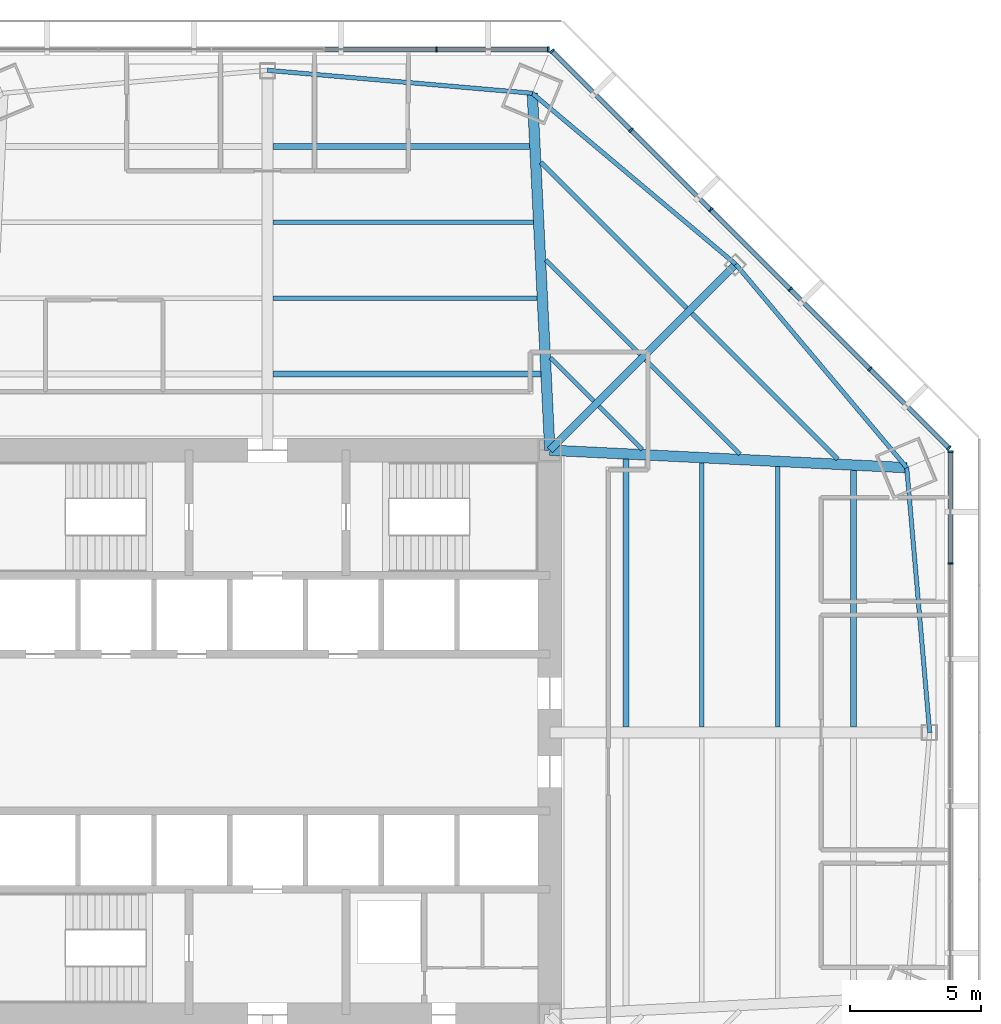
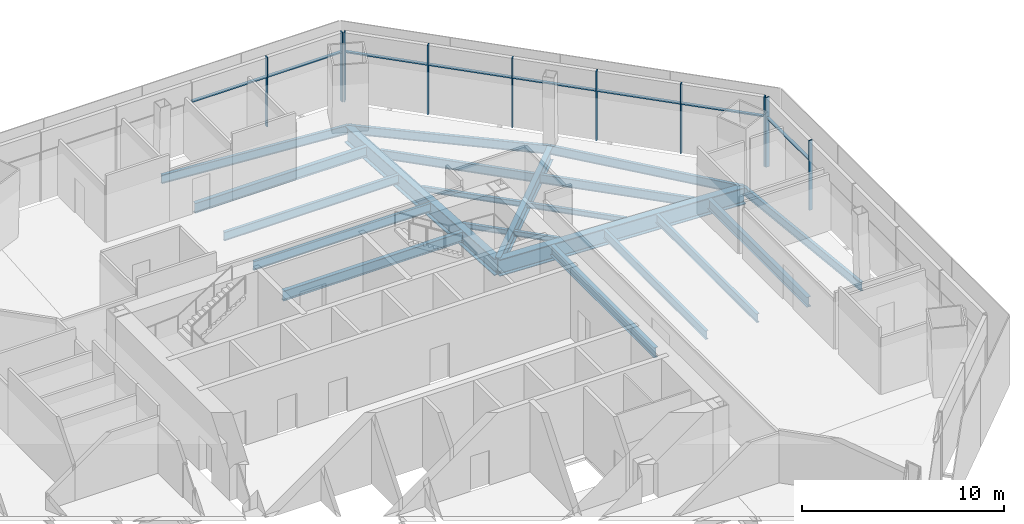
# One storey, part 6 of 15: 21 beams, 18 members, 3 elements without a shape of their own.
"""IFC4 building model written with IfcOpenShell, lengths in metres."""

from ifc_helpers import new_model, si_unit, direction, frame, origin, origin_2d, place, context, subcontext, project, spatial, rectangle, i_section, extrude, source, transform, mapped, material, material_profile, profile_set, type_object, type_shapes, element, aggregate, save


model = new_model("IFC4")

# Units and contexts
model_context = context("Model", 3, precision=1e-05, world=origin(), true_north=direction((0.0, 1.0)))
body_context = subcontext(model_context, "Body", "Model", "MODEL_VIEW")
ifc_project = project(units=[si_unit("LENGTHUNIT", "METRE"), si_unit("AREAUNIT", "SQUARE_METRE"), si_unit("VOLUMEUNIT", "CUBIC_METRE"), si_unit("PLANEANGLEUNIT", "RADIAN"), si_unit("MASSUNIT", "GRAM", prefix="KILO")], contexts=[model_context])

# Site, building, storey
site_placement = place(None, origin())
site = spatial("IfcSite", under=ifc_project, at=site_placement, CompositionType="ELEMENT")
building_placement = place(site_placement, origin())
building = spatial("IfcBuilding", under=site, at=building_placement, Name="Mashrafa Tower", CompositionType="ELEMENT")
storey_placement = place(building_placement, frame((0.0, 0.0, 66.60009765625)))
storey = spatial("IfcBuildingStorey", under=building, at=storey_placement, Name="L14", CompositionType="ELEMENT", Elevation=66.60009765625)

# Beams
ifc_material_1 = material(Name="Steel ASTM A992", Category="steel")
ifc_material_profile_1 = material_profile(ifc_material_1, i_section(OverallWidth=0.164794921875, OverallDepth=0.309814453125, WebThickness=0.005859375, FlangeThickness=0.009765625, FilletRadius=0.007568359375, at=origin_2d()), Name="W12X26")
ifc_profile_set_1 = profile_set([ifc_material_profile_1], Name="Steel ASTM A992")
beam_type_1 = type_object("IfcBeamType", Name="Beam W12X26", PredefinedType="BEAM", material=ifc_profile_set_1)
beam_1_placement = place(storey_placement, frame((10.64453125, 18.0703125, -0.320068359375), z_axis=(0.707106781187, -0.707106781187, 0.0), x_axis=(0.707106781187, 0.707106781187, 0.0)))
element("IfcBeam", 1, at=beam_1_placement, inside=storey, type_object=beam_type_1, Name="Floor beam L14 036", PredefinedType="BEAM", context=body_context, shape_type="SweptSolid", body=[
    extrude(i_section(OverallWidth=0.164794921875, OverallDepth=0.309814453125, WebThickness=0.005859375, FlangeThickness=0.009765625, FilletRadius=0.007568359375, at=origin_2d()), origin(), (0.0, 0.0, 1.0), 5.104736328125),
])
for number, where, z_axis, x_axis, name in (
    (2, (10.827880859375, 14.32958984375, -0.320068359375), (0.707054389324, -0.707159169168, 0.0), (0.707159169168, 0.707054389324, 0.0), "Floor beam L14 038"),
    (3, (12.681884765625, 12.475341796875, -0.320068359375), (0.707159169168, -0.707054389324, 0.0), (0.707054389324, 0.707159169168, 0.0), "Floor beam L14 041"),
):
    element("IfcBeam", number, at=place(storey_placement, frame(where, z_axis=z_axis, x_axis=x_axis)), inside=storey, type_object=beam_type_1, Name=name, PredefinedType="BEAM", context=body_context, shape_type="SweptSolid", body=[
        extrude(i_section(OverallWidth=0.164794921875, OverallDepth=0.309814453125, WebThickness=0.005859375, FlangeThickness=0.009765625, FilletRadius=0.007568359375, at=origin_2d()), origin(), (0.0, 0.0, 1.0), 2.330078125),
    ])
beam_2_placement = place(storey_placement, frame((14.460693359375, 14.254150390625, -0.320068359375), z_axis=(0.707106781187, -0.707106781187, 0.0), x_axis=(0.707106781187, 0.707106781187, 0.0)))
element("IfcBeam", 4, at=beam_2_placement, inside=storey, type_object=beam_type_1, Name="Floor beam L14 045", PredefinedType="BEAM", context=body_context, shape_type="SweptSolid", body=[
    extrude(i_section(OverallWidth=0.164794921875, OverallDepth=0.309814453125, WebThickness=0.005859375, FlangeThickness=0.009765625, FilletRadius=0.007568359375, at=origin_2d()), origin(), (0.0, 0.0, 1.0), 5.104736328125),
])
ifc_material_2 = material(Name="Steel ASTM A992", Category="steel")
ifc_material_profile_2 = material_profile(ifc_material_2, i_section(OverallWidth=0.165771484375, OverallDepth=0.5283203125, WebThickness=0.009765625, FlangeThickness=0.013671875, FilletRadius=0.012939453125, at=origin_2d()), Name="W21X50")
ifc_profile_set_2 = profile_set([ifc_material_profile_2], Name="Steel ASTM A992")
beam_type_2 = type_object("IfcBeamType", Name="Beam W21X50", PredefinedType="BEAM", material=ifc_profile_set_2)
beam_3_placement = place(storey_placement, frame((0.20458984375, 16.6142578125, -0.42919921875), z_axis=(1.0, 0.0, 0.0), x_axis=(0.0, 1.0, 0.0)))
element("IfcBeam", 5, at=beam_3_placement, inside=storey, type_object=beam_type_2, Name="Floor beam L14 030", PredefinedType="BEAM", context=body_context, shape_type="SweptSolid", body=[
    extrude(i_section(OverallWidth=0.165771484375, OverallDepth=0.5283203125, WebThickness=0.009765625, FlangeThickness=0.013671875, FilletRadius=0.012939453125, at=origin_2d()), origin(), (0.0, 0.0, 1.0), 10.109619140625),
])
beam_4_placement = place(storey_placement, frame((0.20458984375, 19.521240234375, -0.42919921875), z_axis=(1.0, 0.0, 0.0), x_axis=(0.0, 1.0, 0.0)))
element("IfcBeam", 6, at=beam_4_placement, inside=storey, type_object=beam_type_2, Name="Floor beam L14 031", PredefinedType="BEAM", context=body_context, shape_type="SweptSolid", body=[
    extrude(i_section(OverallWidth=0.165771484375, OverallDepth=0.5283203125, WebThickness=0.009765625, FlangeThickness=0.013671875, FilletRadius=0.012939453125, at=origin_2d()), origin(), (0.0, 0.0, 1.0), 9.967041015625),
])
for number, where, z_axis, x_axis, name in (
    (7, (10.461181640625, 21.81103515625, -0.42919921875), (0.707106781187, -0.707106781187, 0.0), (0.707106781187, 0.707106781187, 0.0), "Floor beam L14 034"),
    (8, (16.239501953125, 16.03271484375, -0.42919921875), (0.707106781187, -0.707106781187, 0.0), (0.707106781187, 0.707106781187, 0.0), "Floor beam L14 048"),
):
    element("IfcBeam", number, at=place(storey_placement, frame(where, z_axis=z_axis, x_axis=x_axis)), inside=storey, type_object=beam_type_2, Name=name, PredefinedType="BEAM", context=body_context, shape_type="SweptSolid", body=[
        extrude(i_section(OverallWidth=0.165771484375, OverallDepth=0.5283203125, WebThickness=0.009765625, FlangeThickness=0.013671875, FilletRadius=0.012939453125, at=origin_2d()), origin(), (0.0, 0.0, 1.0), 7.87939453125),
    ])
beam_5_placement = place(storey_placement, frame((16.6142578125, 10.314208984375, -0.42919921875), z_axis=(0.0, -1.0, 0.0), x_axis=(1.0, 0.0, 0.0)))
element("IfcBeam", 9, at=beam_5_placement, inside=storey, type_object=beam_type_2, Name="Floor beam L14 050", PredefinedType="BEAM", context=body_context, shape_type="SweptSolid", body=[
    extrude(i_section(OverallWidth=0.165771484375, OverallDepth=0.5283203125, WebThickness=0.009765625, FlangeThickness=0.013671875, FilletRadius=0.012939453125, at=origin_2d()), origin(), (0.0, 0.0, 1.0), 10.109619140625),
])
beam_6_placement = place(storey_placement, frame((19.521240234375, 10.171630859375, -0.42919921875), z_axis=(0.0, -1.0, 0.0), x_axis=(1.0, 0.0, 0.0)))
element("IfcBeam", 10, at=beam_6_placement, inside=storey, type_object=beam_type_2, Name="Floor beam L14 053", PredefinedType="BEAM", context=body_context, shape_type="SweptSolid", body=[
    extrude(i_section(OverallWidth=0.165771484375, OverallDepth=0.5283203125, WebThickness=0.009765625, FlangeThickness=0.013671875, FilletRadius=0.012939453125, at=origin_2d()), origin(), (0.0, 0.0, 1.0), 9.967041015625),
])
beam_7_placement = place(storey_placement, frame((10.130615234375, 24.457275390625, -0.42919921875), z_axis=(-0.996263885627, 0.08636127718, 0.0), x_axis=(-0.08636127718, -0.996263885627, 0.0)))
element("IfcBeam", 11, at=beam_7_placement, inside=storey, type_object=beam_type_2, Name="Spandrel beam L14 083", PredefinedType="BEAM", context=body_context, shape_type="SweptSolid", body=[
    extrude(i_section(OverallWidth=0.165771484375, OverallDepth=0.5283203125, WebThickness=0.009765625, FlangeThickness=0.013671875, FilletRadius=0.012939453125, at=origin_2d()), origin(), (0.0, 0.0, 1.0), 10.168701171875),
])
for number, where, z_axis, x_axis, name in (
    (12, (17.914794921875, 17.914794921875, -0.42919921875), (-0.765522261839, 0.643409408254, 0.0), (-0.643409408254, -0.765522261839, 0.0), "Spandrel beam L14 085"),
    (13, (24.457275390625, 10.130615234375, -0.42919921875), (-0.643409408254, 0.765522261839, 0.0), (-0.765522261839, -0.643409408254, 0.0), "Spandrel beam L14 087"),
):
    element("IfcBeam", number, at=place(storey_placement, frame(where, z_axis=z_axis, x_axis=x_axis)), inside=storey, type_object=beam_type_2, Name=name, PredefinedType="BEAM", context=body_context, shape_type="SweptSolid", body=[
        extrude(i_section(OverallWidth=0.165771484375, OverallDepth=0.5283203125, WebThickness=0.009765625, FlangeThickness=0.013671875, FilletRadius=0.012939453125, at=origin_2d()), origin(), (0.0, 0.0, 1.0), 10.16845703125),
    ])
beam_8_placement = place(storey_placement, frame((25.33544921875, 0.0, -0.42919921875), z_axis=(-0.08636127718, 0.996263885627, 0.0), x_axis=(-0.996263885627, -0.08636127718, 0.0)))
element("IfcBeam", 14, at=beam_8_placement, inside=storey, type_object=beam_type_2, Name="Spandrel beam L14 088", PredefinedType="BEAM", context=body_context, shape_type="SweptSolid", body=[
    extrude(i_section(OverallWidth=0.165771484375, OverallDepth=0.5283203125, WebThickness=0.009765625, FlangeThickness=0.013671875, FilletRadius=0.012939453125, at=origin_2d()), origin(), (0.0, 0.0, 1.0), 10.168701171875),
])
ifc_material_3 = material(Name="Steel ASTM A992", Category="steel")
ifc_material_profile_3 = material_profile(ifc_material_3, i_section(OverallWidth=0.227783203125, OverallDepth=0.60205078125, WebThickness=0.010498046875, FlangeThickness=0.014892578125, FilletRadius=0.012939453125, at=origin_2d()), Name="W24X68")
ifc_profile_set_3 = profile_set([ifc_material_profile_3], Name="Steel ASTM A992")
beam_type_3 = type_object("IfcBeamType", Name="Beam W24X68", PredefinedType="BEAM", material=ifc_profile_set_3)
beam_9_placement = place(storey_placement, frame((0.20458984375, 13.70703125, -0.466064453125), z_axis=(1.0, 0.0, 0.0), x_axis=(0.0, 1.0, 0.0)))
element("IfcBeam", 15, at=beam_9_placement, inside=storey, type_object=beam_type_3, Name="Floor beam L14 029", PredefinedType="BEAM", context=body_context, shape_type="SweptSolid", body=[
    extrude(i_section(OverallWidth=0.227783203125, OverallDepth=0.60205078125, WebThickness=0.010498046875, FlangeThickness=0.014892578125, FilletRadius=0.012939453125, at=origin_2d()), origin(), (0.0, 0.0, 1.0), 10.251953125),
])
beam_10_placement = place(storey_placement, frame((0.20458984375, 22.42822265625, -0.466064453125), z_axis=(1.0, 0.0, 0.0), x_axis=(0.0, 1.0, 0.0)))
element("IfcBeam", 16, at=beam_10_placement, inside=storey, type_object=beam_type_3, Name="Floor beam L14 032", PredefinedType="BEAM", context=body_context, shape_type="SweptSolid", body=[
    extrude(i_section(OverallWidth=0.227783203125, OverallDepth=0.60205078125, WebThickness=0.010498046875, FlangeThickness=0.014892578125, FilletRadius=0.012939453125, at=origin_2d()), origin(), (0.0, 0.0, 1.0), 9.824462890625),
])
beam_11_placement = place(storey_placement, frame((13.70703125, 10.45654296875, -0.466064453125), z_axis=(0.0, -1.0, 0.0), x_axis=(1.0, 0.0, 0.0)))
element("IfcBeam", 17, at=beam_11_placement, inside=storey, type_object=beam_type_3, Name="Floor beam L14 043", PredefinedType="BEAM", context=body_context, shape_type="SweptSolid", body=[
    extrude(i_section(OverallWidth=0.227783203125, OverallDepth=0.60205078125, WebThickness=0.010498046875, FlangeThickness=0.014892578125, FilletRadius=0.012939453125, at=origin_2d()), origin(), (0.0, 0.0, 1.0), 10.251953125),
])
beam_12_placement = place(storey_placement, frame((22.42822265625, 10.029052734375, -0.466064453125), z_axis=(0.0, -1.0, 0.0), x_axis=(1.0, 0.0, 0.0)))
element("IfcBeam", 18, at=beam_12_placement, inside=storey, type_object=beam_type_3, Name="Floor beam L14 056", PredefinedType="BEAM", context=body_context, shape_type="SweptSolid", body=[
    extrude(i_section(OverallWidth=0.227783203125, OverallDepth=0.60205078125, WebThickness=0.010498046875, FlangeThickness=0.014892578125, FilletRadius=0.012939453125, at=origin_2d()), origin(), (0.0, 0.0, 1.0), 9.824462890625),
])
ifc_material_4 = material(Name="Steel ASTM A992", Category="steel")
ifc_material_profile_4 = material_profile(ifc_material_4, i_section(OverallWidth=0.2919921875, OverallDepth=0.8583984375, WebThickness=0.01708984375, FlangeThickness=0.031005859375, FilletRadius=0.017822265625, at=origin_2d()), Name="W33X169")
ifc_profile_set_4 = profile_set([ifc_material_profile_4], Name="Steel ASTM A992")
beam_type_4 = type_object("IfcBeamType", Name="Beam W33X169", PredefinedType="BEAM", material=ifc_profile_set_4)
beam_13_placement = place(storey_placement, frame((10.800048828125, 10.800048828125, -0.59423828125), z_axis=(0.707106781187, 0.707106781187, 0.0), x_axis=(-0.707106781187, 0.707106781187, 0.0)))
element("IfcBeam", 19, at=beam_13_placement, inside=storey, type_object=beam_type_4, Name="Radial girder L14 071", PredefinedType="BEAM", context=body_context, shape_type="SweptSolid", body=[
    extrude(i_section(OverallWidth=0.2919921875, OverallDepth=0.8583984375, WebThickness=0.01708984375, FlangeThickness=0.031005859375, FilletRadius=0.017822265625, at=origin_2d()), origin(), (0.0, 0.0, 1.0), 10.061767578125),
])
ifc_material_5 = material(Name="Steel ASTM A992", Category="steel")
ifc_material_profile_5 = material_profile(ifc_material_5, i_section(OverallWidth=0.4013671875, OverallDepth=1.010986328125, WebThickness=0.023681640625, FlangeThickness=0.0419921875, FilletRadius=0.02001953125, at=origin_2d()), Name="W40X297")
ifc_profile_set_5 = profile_set([ifc_material_profile_5], Name="Steel ASTM A992")
beam_type_5 = type_object("IfcBeamType", Name="Beam W40X297", PredefinedType="BEAM", material=ifc_profile_set_5)
for number, where, z_axis, x_axis, name in (
    (20, (10.800048828125, 10.800048828125, -0.670654296875), (-0.048958024577, 0.998800836919, 0.0), (-0.998800836919, -0.048958024577, 0.0), "Radial girder L14 070"),
    (21, (10.800048828125, 10.800048828125, -0.670654296875), (0.998800836919, -0.048958024577, 0.0), (0.048958024577, 0.998800836919, 0.0), "Radial girder L14 072"),
):
    element("IfcBeam", number, at=place(storey_placement, frame(where, z_axis=z_axis, x_axis=x_axis)), inside=storey, type_object=beam_type_5, Name=name, PredefinedType="BEAM", context=body_context, shape_type="SweptSolid", body=[
        extrude(i_section(OverallWidth=0.4013671875, OverallDepth=1.010986328125, WebThickness=0.023681640625, FlangeThickness=0.0419921875, FilletRadius=0.02001953125, at=origin_2d()), origin(), (0.0, 0.0, 1.0), 13.673583984375),
    ])

# Curtain wall, members
ifc_material_6 = material(Name="Unitised aluminium curtain wall", Category="aluminium")
curtain_wall_type = type_object("IfcCurtainWallType", Name="Office curtain wall, zone 1 CW-A 200 deep", PredefinedType="NOTDEFINED", material=ifc_material_6)
curtain_wall_1_placement = place(storey_placement, origin())
curtain_wall_1 = element("IfcCurtainWall", 22, at=curtain_wall_1_placement, inside=storey, type_object=curtain_wall_type, Name="Office curtain wall, zone 1 L14 east", PredefinedType="NOTDEFINED")
ifc_material_7 = material(Name="Extruded aluminium mullion", Category="aluminium")
ifc_material_profile_6 = material_profile(ifc_material_7, rectangle(XDim=0.199951171875, YDim=0.06494140625, at=origin_2d()), Name="Mullion 65x200")
ifc_profile_set_6 = profile_set([ifc_material_profile_6], Name="Extruded aluminium mullion")
member_type_1 = type_object("IfcMemberType", Name="Mullion CW-A 65 x 200", PredefinedType="MULLION", material=ifc_profile_set_6)
shared_shape_1 = source(origin(), body_context, "Body", "SweptSolid", [
    extrude(rectangle(XDim=0.199951171875, YDim=0.06494140625, at=origin_2d()), origin(), (0.0, 0.0, 1.0), 4.199951171875),
])
type_shapes(member_type_1, [shared_shape_1])
member_1_placement = place(storey_placement, frame((26.130615234375, 6.46337890625, 0.0), z_axis=(0.0, 0.0, 1.0), x_axis=(-1.0, 0.0, 0.0)))
member_1 = element("IfcMember", 23, at=member_1_placement, type_object=member_type_1, Name="CW-A mullion 5", PredefinedType="MULLION", context=body_context, shape_type="MappedRepresentation", body=[
    mapped(shared_shape_1, transform((0.0, 0.0, 0.0))),
])
member_2_placement = place(storey_placement, frame((26.130615234375, 10.73974609375, 0.0), z_axis=(0.0, 0.0, 1.0), x_axis=(-1.0, 0.0, 0.0)))
member_2 = element("IfcMember", 24, at=member_2_placement, type_object=member_type_1, Name="CW-A mullion 6", PredefinedType="MULLION", context=body_context, shape_type="MappedRepresentation", body=[
    mapped(shared_shape_1, transform((0.0, 0.0, 0.0))),
])

curtain_wall_2_placement = place(storey_placement, origin())
curtain_wall_2 = element("IfcCurtainWall", 25, at=curtain_wall_2_placement, inside=storey, type_object=curtain_wall_type, Name="Office curtain wall, zone 1 L14 north-east", PredefinedType="NOTDEFINED")
member_3_placement = place(storey_placement, frame((26.0712890625, 10.883056640625, 0.0), z_axis=(0.0, 0.0, 1.0), x_axis=(-0.707106781187, -0.707106781187, 0.0)))
member_3 = element("IfcMember", 26, at=member_3_placement, type_object=member_type_1, Name="CW-A mullion 1", PredefinedType="MULLION", context=body_context, shape_type="MappedRepresentation", body=[
    mapped(shared_shape_1, transform((0.0, 0.0, 0.0))),
])
member_4_placement = place(storey_placement, frame((23.04736328125, 13.906982421875, 0.0), z_axis=(0.0, 0.0, 1.0), x_axis=(-0.707106781187, -0.707106781187, 0.0)))
member_4 = element("IfcMember", 27, at=member_4_placement, type_object=member_type_1, Name="CW-A mullion 2", PredefinedType="MULLION", context=body_context, shape_type="MappedRepresentation", body=[
    mapped(shared_shape_1, transform((0.0, 0.0, 0.0))),
])
member_5_placement = place(storey_placement, frame((20.000732421875, 16.953857421875, 0.0), z_axis=(0.0, 0.0, 1.0), x_axis=(-0.707106781187, -0.707106781187, 0.0)))
member_5 = element("IfcMember", 28, at=member_5_placement, type_object=member_type_1, Name="CW-A mullion 3", PredefinedType="MULLION", context=body_context, shape_type="MappedRepresentation", body=[
    mapped(shared_shape_1, transform((0.0, 0.0, 0.0))),
])
member_6_placement = place(storey_placement, frame((16.953857421875, 20.000732421875, 0.0), z_axis=(0.0, 0.0, 1.0), x_axis=(-0.707106781187, -0.707106781187, 0.0)))
member_6 = element("IfcMember", 29, at=member_6_placement, type_object=member_type_1, Name="CW-A mullion 4", PredefinedType="MULLION", context=body_context, shape_type="MappedRepresentation", body=[
    mapped(shared_shape_1, transform((0.0, 0.0, 0.0))),
])
member_7_placement = place(storey_placement, frame((13.906982421875, 23.04736328125, 0.0), z_axis=(0.0, 0.0, 1.0), x_axis=(-0.707106781187, -0.707106781187, 0.0)))
member_7 = element("IfcMember", 30, at=member_7_placement, type_object=member_type_1, Name="CW-A mullion 5", PredefinedType="MULLION", context=body_context, shape_type="MappedRepresentation", body=[
    mapped(shared_shape_1, transform((0.0, 0.0, 0.0))),
])
member_8_placement = place(storey_placement, frame((10.883056640625, 26.0712890625, 0.0), z_axis=(0.0, 0.0, 1.0), x_axis=(-0.707106781187, -0.707106781187, 0.0)))
member_8 = element("IfcMember", 31, at=member_8_placement, type_object=member_type_1, Name="CW-A mullion 6", PredefinedType="MULLION", context=body_context, shape_type="MappedRepresentation", body=[
    mapped(shared_shape_1, transform((0.0, 0.0, 0.0))),
])

curtain_wall_3_placement = place(storey_placement, origin())
curtain_wall_3 = element("IfcCurtainWall", 32, at=curtain_wall_3_placement, inside=storey, type_object=curtain_wall_type, Name="Office curtain wall, zone 1 L14 north", PredefinedType="NOTDEFINED")
member_9_placement = place(storey_placement, frame((10.73974609375, 26.130615234375, 0.0), z_axis=(0.0, 0.0, 1.0), x_axis=(0.0, -1.0, 0.0)))
member_9 = element("IfcMember", 33, at=member_9_placement, type_object=member_type_1, Name="CW-A mullion 1", PredefinedType="MULLION", context=body_context, shape_type="MappedRepresentation", body=[
    mapped(shared_shape_1, transform((0.0, 0.0, 0.0))),
])
member_10_placement = place(storey_placement, frame((6.46337890625, 26.130615234375, 0.0), z_axis=(0.0, 0.0, 1.0), x_axis=(0.0, -1.0, 0.0)))
member_10 = element("IfcMember", 34, at=member_10_placement, type_object=member_type_1, Name="CW-A mullion 2", PredefinedType="MULLION", context=body_context, shape_type="MappedRepresentation", body=[
    mapped(shared_shape_1, transform((0.0, 0.0, 0.0))),
])

# Member
ifc_material_8 = material(Name="Extruded aluminium transom", Category="aluminium")
ifc_material_profile_7 = material_profile(ifc_material_8, rectangle(XDim=0.159912109375, YDim=0.080078125, at=origin_2d()), Name="Transom 80x160")
ifc_profile_set_7 = profile_set([ifc_material_profile_7], Name="Extruded aluminium transom")
member_type_2 = type_object("IfcMemberType", Name="Transom CW-A 80 x 160", PredefinedType="MULLION", material=ifc_profile_set_7)
shared_shape_2 = source(origin(), body_context, "Body", "SweptSolid", [
    extrude(rectangle(XDim=0.159912109375, YDim=0.080078125, at=origin_2d()), origin(), (0.0, 0.0, 1.0), 4.21142578125),
])
member_11_placement = place(storey_placement, frame((26.130615234375, 6.495849609375, 3.0), z_axis=(0.0, 1.0, 0.0), x_axis=(-1.0, 0.0, 0.0)))
member_11 = element("IfcMember", 35, at=member_11_placement, type_object=member_type_2, Name="CW-A transom 5", PredefinedType="MULLION", context=body_context, shape_type="MappedRepresentation", body=[
    mapped(shared_shape_2, transform((0.0, 0.0, 0.0))),
])

aggregate(curtain_wall_1, [member_1, member_2, member_11])

member_12_placement = place(storey_placement, frame((26.04833984375, 10.906005859375, 3.0), z_axis=(-0.707077794867, 0.707135766318, 0.0), x_axis=(-0.707135766318, -0.707077794867, 0.0)))
member_12 = element("IfcMember", 36, at=member_12_placement, type_object=member_type_2, Name="CW-A transom 1", PredefinedType="MULLION", context=body_context, shape_type="MappedRepresentation", body=[
    mapped(shared_shape_2, transform((0.0, 0.0, 0.0))),
])

member_13_placement = place(storey_placement, frame((13.884033203125, 23.070556640625, 3.0), z_axis=(-0.707135766318, 0.707077794867, 0.0), x_axis=(-0.707077794867, -0.707135766318, 0.0)))
member_13 = element("IfcMember", 37, at=member_13_placement, type_object=member_type_2, Name="CW-A transom 5", PredefinedType="MULLION", context=body_context, shape_type="MappedRepresentation", body=[
    mapped(shared_shape_2, transform((0.0, 0.0, 0.0))),
])

member_14_placement = place(storey_placement, frame((10.707275390625, 26.130615234375, 3.0), z_axis=(-1.0, 0.0, 0.0), x_axis=(0.0, -1.0, 0.0)))
member_14 = element("IfcMember", 38, at=member_14_placement, type_object=member_type_2, Name="CW-A transom 1", PredefinedType="MULLION", context=body_context, shape_type="MappedRepresentation", body=[
    mapped(shared_shape_2, transform((0.0, 0.0, 0.0))),
])

shared_shape_3 = source(origin(), body_context, "Body", "SweptSolid", [
    extrude(rectangle(XDim=0.159912109375, YDim=0.080078125, at=origin_2d()), origin(), (0.0, 0.0, 1.0), 4.243896484375),
])
member_15_placement = place(storey_placement, frame((6.430908203125, 26.130615234375, 3.0), z_axis=(-1.0, 0.0, 0.0), x_axis=(0.0, -1.0, 0.0)))
member_15 = element("IfcMember", 39, at=member_15_placement, type_object=member_type_2, Name="CW-A transom 2", PredefinedType="MULLION", context=body_context, shape_type="MappedRepresentation", body=[
    mapped(shared_shape_3, transform((0.0, 0.0, 0.0))),
])

aggregate(curtain_wall_3, [member_9, member_10, member_14, member_15])

shared_shape_4 = source(origin(), body_context, "Body", "SweptSolid", [
    extrude(rectangle(XDim=0.159912109375, YDim=0.080078125, at=origin_2d()), origin(), (0.0, 0.0, 1.0), 4.24365234375),
])
type_shapes(member_type_2, [shared_shape_2, shared_shape_3, shared_shape_4])
member_16_placement = place(storey_placement, frame((23.0244140625, 13.929931640625, 3.0), z_axis=(-0.707106781187, 0.707106781187, 0.0), x_axis=(-0.707106781187, -0.707106781187, 0.0)))
member_16 = element("IfcMember", 40, at=member_16_placement, type_object=member_type_2, Name="CW-A transom 2", PredefinedType="MULLION", context=body_context, shape_type="MappedRepresentation", body=[
    mapped(shared_shape_4, transform((0.0, 0.0, 0.0))),
])

member_17_placement = place(storey_placement, frame((19.9775390625, 16.976806640625, 3.0), z_axis=(-0.707106781187, 0.707106781187, 0.0), x_axis=(-0.707106781187, -0.707106781187, 0.0)))
member_17 = element("IfcMember", 41, at=member_17_placement, type_object=member_type_2, Name="CW-A transom 3", PredefinedType="MULLION", context=body_context, shape_type="MappedRepresentation", body=[
    mapped(shared_shape_4, transform((0.0, 0.0, 0.0))),
])

member_18_placement = place(storey_placement, frame((16.9306640625, 20.023681640625, 3.0), z_axis=(-0.707106781187, 0.707106781187, 0.0), x_axis=(-0.707106781187, -0.707106781187, 0.0)))
member_18 = element("IfcMember", 42, at=member_18_placement, type_object=member_type_2, Name="CW-A transom 4", PredefinedType="MULLION", context=body_context, shape_type="MappedRepresentation", body=[
    mapped(shared_shape_4, transform((0.0, 0.0, 0.0))),
])

aggregate(curtain_wall_2, [member_3, member_4, member_5, member_6, member_7, member_8, member_12, member_16, member_17, member_18, member_13])

save(model, "model.ifc")
